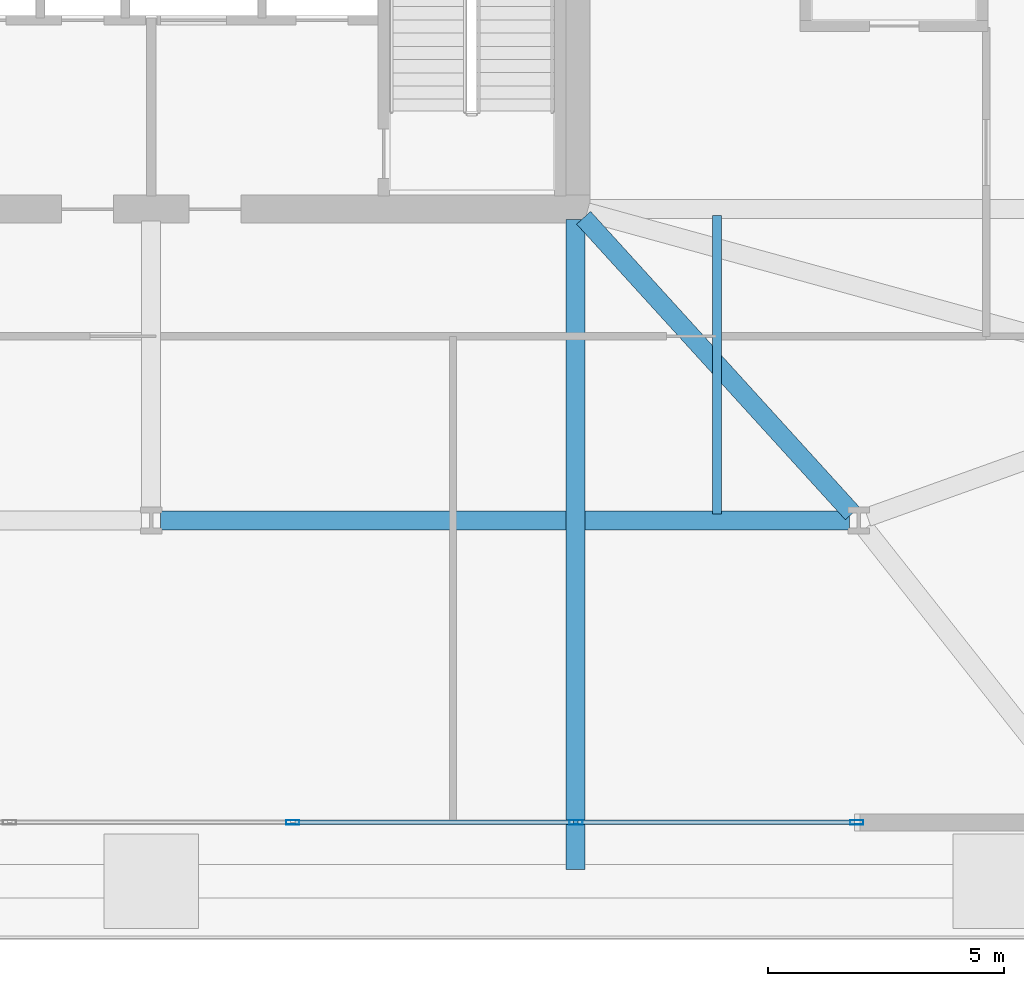
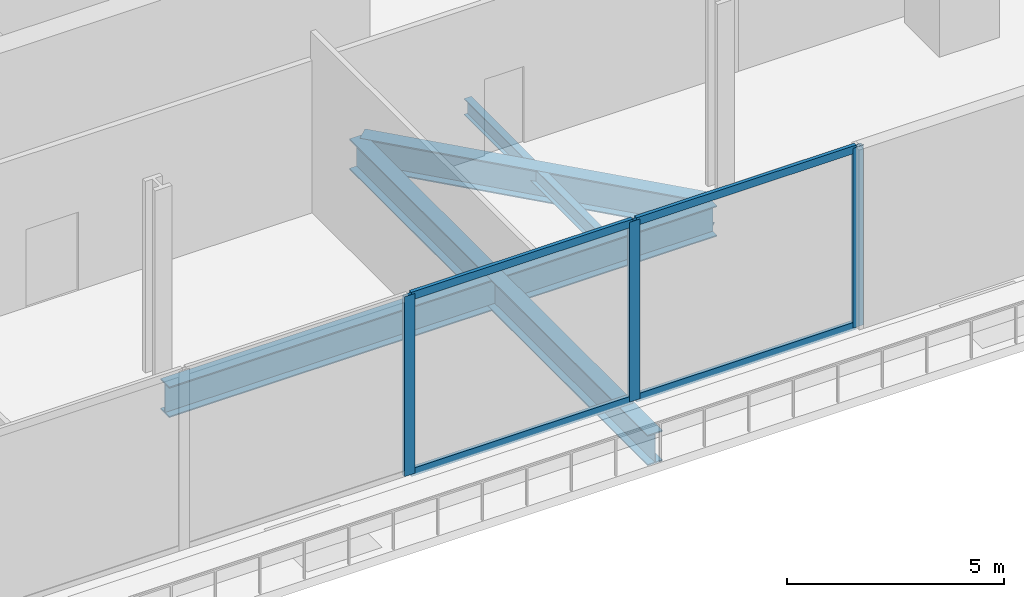
# One storey, part 4 of 20: 7 members, 4 beams, 1 element without a shape of its own.
"""IFC4 building model written with IfcOpenShell, lengths in metres."""

from ifc_helpers import new_model, si_unit, direction, frame, origin, origin_2d, place, context, subcontext, project, spatial, hollow_rectangle, i_section, extrude, material, material_profile, profile_set, type_object, element, aggregate, save


model = new_model("IFC4")

# Units and contexts
model_context = context("Model", 3, precision=1e-05, world=origin(), true_north=direction((0.0, 1.0)))
body_context = subcontext(model_context, "Body", "Model", "MODEL_VIEW")
ifc_project = project(units=[si_unit("LENGTHUNIT", "METRE"), si_unit("AREAUNIT", "SQUARE_METRE"), si_unit("VOLUMEUNIT", "CUBIC_METRE"), si_unit("PLANEANGLEUNIT", "RADIAN"), si_unit("MASSUNIT", "GRAM", prefix="KILO")], contexts=[model_context])

# Site, building, storey
site_placement = place(None, origin())
site = spatial("IfcSite", under=ifc_project, at=site_placement, CompositionType="ELEMENT")
building_placement = place(site_placement, origin())
building = spatial("IfcBuilding", under=site, at=building_placement, Name="Haldenkirk Collegiate Tower", CompositionType="ELEMENT")
storey_placement = place(building_placement, frame((0.0, 0.0, 6.0)))
storey = spatial("IfcBuildingStorey", under=building, at=storey_placement, Name="L01", CompositionType="ELEMENT", Elevation=6.0)

# Beams
ifc_material_1 = material(Name="Steel ASTM A992 Grade 50", Category="steel")
ifc_material_profile_1 = material_profile(ifc_material_1, i_section(OverallWidth=0.39990234375, OverallDepth=0.862060546875, WebThickness=0.019775390625, FlangeThickness=0.032470703125, at=origin_2d()), Name="W33X221")
ifc_profile_set_1 = profile_set([ifc_material_profile_1], Name="Steel ASTM A992 Grade 50")
beam_type_1 = type_object("IfcBeamType", Name="BM-GIRDER-W33X221", PredefinedType="BEAM", material=ifc_profile_set_1)
beam_1_placement = place(storey_placement, frame((45.0, 4.0, -0.760986328125), z_axis=(0.0, 1.0, 0.0), x_axis=(-1.0, 0.0, 0.0)))
element("IfcBeam", 1, at=beam_1_placement, inside=storey, type_object=beam_type_1, Name="L01 outer podium tie girder 03", PredefinedType="BEAM", context=body_context, shape_type="SweptSolid", body=[
    extrude(i_section(OverallWidth=0.39990234375, OverallDepth=0.862060546875, WebThickness=0.019775390625, FlangeThickness=0.032470703125, at=origin_2d()), origin(), (0.0, 0.0, 1.0), 13.780029296875),
])
beam_2_placement = place(storey_placement, frame((36.199951171875, 11.39990234375, -0.760986328125), z_axis=(1.0, 0.0, 0.0), x_axis=(0.0, 1.0, 0.0)))
element("IfcBeam", 2, at=beam_2_placement, inside=storey, type_object=beam_type_1, Name="L01 podium ring girder 03", PredefinedType="BEAM", context=body_context, shape_type="SweptSolid", body=[
    extrude(i_section(OverallWidth=0.39990234375, OverallDepth=0.862060546875, WebThickness=0.019775390625, FlangeThickness=0.032470703125, at=origin_2d()), origin(), (0.0, 0.0, 1.0), 14.60009765625),
])
beam_3_placement = place(storey_placement, frame((50.865478515625, 11.548095703125, -0.760986328125), z_axis=(-0.672681402593, 0.739932247307, 0.0), x_axis=(-0.739932247307, -0.672681402593, 0.0)))
element("IfcBeam", 3, at=beam_3_placement, inside=storey, type_object=beam_type_1, Name="L01 podium radial girder 08", PredefinedType="BEAM", context=body_context, shape_type="SweptSolid", body=[
    extrude(i_section(OverallWidth=0.39990234375, OverallDepth=0.862060546875, WebThickness=0.019775390625, FlangeThickness=0.032470703125, at=origin_2d()), origin(), (0.0, 0.0, 1.0), 8.469482421875),
])
ifc_material_profile_2 = material_profile(ifc_material_1, i_section(OverallWidth=0.19189453125, OverallDepth=0.462890625, WebThickness=0.010498046875, FlangeThickness=0.017578125, at=origin_2d()), Name="W18X60")
ifc_profile_set_2 = profile_set([ifc_material_profile_2], Name="Steel ASTM A992 Grade 50")
beam_type_2 = type_object("IfcBeamType", Name="BM-JOIST-W18X60", PredefinedType="JOIST", material=ifc_profile_set_2)
beam_4_placement = place(storey_placement, frame((48.0, 11.5400390625, -0.5615234375), z_axis=(0.0, 1.0, 0.0), x_axis=(-1.0, 0.0, 0.0)))
element("IfcBeam", 4, at=beam_4_placement, inside=storey, type_object=beam_type_2, Name="L01 south bay floor joist 2", PredefinedType="JOIST", context=body_context, shape_type="SweptSolid", body=[
    extrude(i_section(OverallWidth=0.19189453125, OverallDepth=0.462890625, WebThickness=0.010498046875, FlangeThickness=0.017578125, at=origin_2d()), origin(), (0.0, 0.0, 1.0), 6.320068359375),
])

# Curtain wall, members
ifc_material_2 = material(Name="Anodised architectural bronze aluminium", Category="aluminium")
curtain_wall_type = type_object("IfcCurtainWallType", Name="CW-SYS3-PODIUM", PredefinedType="USERDEFINED", material=ifc_material_2)
curtain_wall_placement = place(storey_placement, origin())
curtain_wall = element("IfcCurtainWall", 5, at=curtain_wall_placement, inside=storey, type_object=curtain_wall_type, Name="L01 Podium campus concourse and library storefront curtain wall", ObjectType="UNITISED CURTAIN WALL", PredefinedType="USERDEFINED")
ifc_material_profile_3 = material_profile(ifc_material_2, hollow_rectangle(XDim=0.094970703125, YDim=0.280029296875, WallThickness=0.0048828125, at=origin_2d()), Name="CW-MUL-03")
ifc_profile_set_3 = profile_set([ifc_material_profile_3], Name="Anodised architectural bronze aluminium")
member_type_1 = type_object("IfcMemberType", Name="CW-MUL-03", PredefinedType="MULLION", material=ifc_profile_set_3)
member_1_placement = place(storey_placement, frame((50.96044921875, 5.0, 0.0), z_axis=(0.0, 0.0, 1.0), x_axis=(0.0, -1.0, 0.0)))
member_1 = element("IfcMember", 6, at=member_1_placement, type_object=member_type_1, Name="CW-03 mullion 1", PredefinedType="MULLION", context=body_context, shape_type="SweptSolid", body=[
    extrude(hollow_rectangle(XDim=0.094970703125, YDim=0.280029296875, WallThickness=0.0048828125, at=origin_2d()), origin(), (0.0, 0.0, 1.0), 5.070068359375),
])
member_2_placement = place(storey_placement, frame((45.0048828125, 5.0, 0.0), z_axis=(0.0, 0.0, 1.0), x_axis=(0.0, -1.0, 0.0)))
member_2 = element("IfcMember", 7, at=member_2_placement, type_object=member_type_1, Name="CW-03 mullion 2", PredefinedType="MULLION", context=body_context, shape_type="SweptSolid", body=[
    extrude(hollow_rectangle(XDim=0.094970703125, YDim=0.280029296875, WallThickness=0.0048828125, at=origin_2d()), origin(), (0.0, 0.0, 1.0), 5.070068359375),
])
member_3_placement = place(storey_placement, frame((39.001708984375, 5.0, 0.0), z_axis=(0.0, 0.0, 1.0), x_axis=(0.0, -1.0, 0.0)))
member_3 = element("IfcMember", 8, at=member_3_placement, type_object=member_type_1, Name="CW-03 mullion 3", PredefinedType="MULLION", context=body_context, shape_type="SweptSolid", body=[
    extrude(hollow_rectangle(XDim=0.094970703125, YDim=0.280029296875, WallThickness=0.0048828125, at=origin_2d()), origin(), (0.0, 0.0, 1.0), 5.070068359375),
])
ifc_material_profile_4 = material_profile(ifc_material_2, hollow_rectangle(XDim=0.094970703125, YDim=0.219970703125, WallThickness=0.0048828125, at=origin_2d()), Name="CW-TRN-03")
ifc_profile_set_4 = profile_set([ifc_material_profile_4], Name="Anodised architectural bronze aluminium")
member_type_2 = type_object("IfcMemberType", Name="CW-TRN-03", PredefinedType="USERDEFINED", material=ifc_profile_set_4)
member_4_placement = place(storey_placement, frame((50.9130859375, 5.0, 0.047607421875), z_axis=(-1.0, 0.0, 0.0), x_axis=(0.0, -1.0, 0.0)))
member_4 = element("IfcMember", 9, at=member_4_placement, type_object=member_type_2, Name="CW-03 transom 1.1", ObjectType="TRANSOM", PredefinedType="USERDEFINED", context=body_context, shape_type="SweptSolid", body=[
    extrude(hollow_rectangle(XDim=0.094970703125, YDim=0.219970703125, WallThickness=0.0048828125, at=origin_2d()), origin(), (0.0, 0.0, 1.0), 5.86083984375),
])
member_5_placement = place(storey_placement, frame((50.9130859375, 5.0, 5.0224609375), z_axis=(-1.0, 0.0, 0.0), x_axis=(0.0, -1.0, 0.0)))
member_5 = element("IfcMember", 10, at=member_5_placement, type_object=member_type_2, Name="CW-03 transom 1.2", ObjectType="TRANSOM", PredefinedType="USERDEFINED", context=body_context, shape_type="SweptSolid", body=[
    extrude(hollow_rectangle(XDim=0.094970703125, YDim=0.219970703125, WallThickness=0.0048828125, at=origin_2d()), origin(), (0.0, 0.0, 1.0), 5.86083984375),
])
member_6_placement = place(storey_placement, frame((44.957275390625, 5.0, 0.047607421875), z_axis=(-1.0, 0.0, 0.0), x_axis=(0.0, -1.0, 0.0)))
member_6 = element("IfcMember", 11, at=member_6_placement, type_object=member_type_2, Name="CW-03 transom 2.1", ObjectType="TRANSOM", PredefinedType="USERDEFINED", context=body_context, shape_type="SweptSolid", body=[
    extrude(hollow_rectangle(XDim=0.094970703125, YDim=0.219970703125, WallThickness=0.0048828125, at=origin_2d()), origin(), (0.0, 0.0, 1.0), 5.908203125),
])
member_7_placement = place(storey_placement, frame((44.957275390625, 5.0, 5.0224609375), z_axis=(-1.0, 0.0, 0.0), x_axis=(0.0, -1.0, 0.0)))
member_7 = element("IfcMember", 12, at=member_7_placement, type_object=member_type_2, Name="CW-03 transom 2.2", ObjectType="TRANSOM", PredefinedType="USERDEFINED", context=body_context, shape_type="SweptSolid", body=[
    extrude(hollow_rectangle(XDim=0.094970703125, YDim=0.219970703125, WallThickness=0.0048828125, at=origin_2d()), origin(), (0.0, 0.0, 1.0), 5.908203125),
])
aggregate(curtain_wall, [member_1, member_2, member_3, member_4, member_5, member_6, member_7])

save(model, "model.ifc")
